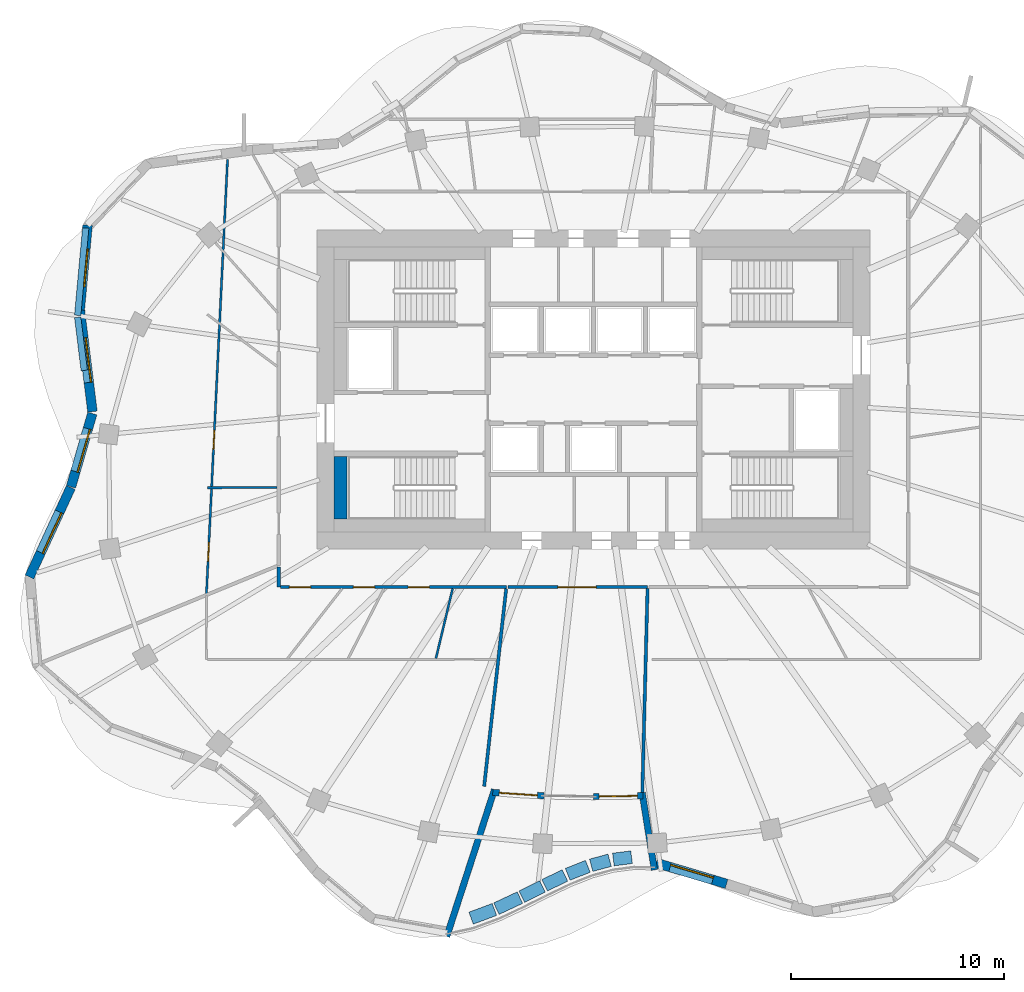
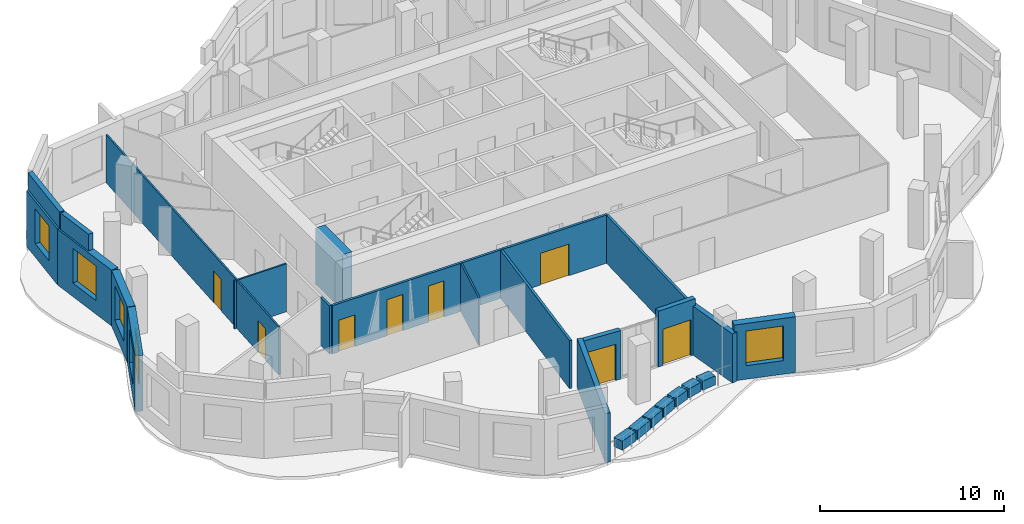
# One storey, part 5 of 12: 27 walls, 8 doors, 5 windows, 13 openings.
"""IFC4 building model written with IfcOpenShell, lengths in metres."""

from ifc_helpers import new_model, si_unit, direction, frame, frame_2d, origin, place, context, subcontext, project, spatial, rectangle, extrude, material, layer, layer_set, type_object, element, fill, save


model = new_model("IFC4")

# Units and contexts
model_context = context("Model", 3, precision=1e-05, world=origin(), true_north=direction((0.0, 1.0)))
body_context = subcontext(model_context, "Body", "Model", "MODEL_VIEW")
ifc_project = project(units=[si_unit("LENGTHUNIT", "METRE"), si_unit("AREAUNIT", "SQUARE_METRE"), si_unit("VOLUMEUNIT", "CUBIC_METRE"), si_unit("PLANEANGLEUNIT", "RADIAN"), si_unit("MASSUNIT", "GRAM", prefix="KILO")], contexts=[model_context])

# Site, building, storey
site_placement = place(None, origin())
site = spatial("IfcSite", under=ifc_project, at=site_placement, CompositionType="ELEMENT")
building_placement = place(site_placement, origin())
building = spatial("IfcBuilding", under=site, at=building_placement, Name="Rubra Terraces Tower", CompositionType="ELEMENT")
storey_placement = place(building_placement, frame((0.0, 0.0, 276.60009765625)))
storey = spatial("IfcBuildingStorey", under=building, at=storey_placement, Name="L68", CompositionType="ELEMENT", Elevation=276.60009765625)

# Wall, opening, window
ifc_material_1 = material(Name="Brick masonry red-brown", Category="masonry")
ifc_layer_1 = layer(ifc_material_1, 0.449951171875)
ifc_layer_set_1 = layer_set([ifc_layer_1], Name="Brick masonry red-brown")
wall_type_1 = type_object("IfcWallType", Name="Brick facade wall 450", PredefinedType="SOLIDWALL", material=ifc_layer_set_1)
wall_1_placement = place(storey_placement, frame((-23.787841796875, 12.21435546875, 0.0), z_axis=(0.0, 0.0, 1.0), x_axis=(-0.091885237351, -0.995769603451, 0.0)))
wall_1 = element("IfcWall", 1, at=wall_1_placement, inside=storey, type_object=wall_type_1, Name="Facade wall L68 bay 18", PredefinedType="SOLIDWALL", context=body_context, shape_type="SweptSolid", body=[
    extrude(rectangle(XDim=3.99609375, YDim=0.449951171875, at=frame_2d((1.998046875, 0.0))), origin(), (0.0, 0.0, 1.0), 3.699951171875),
])
opening_1_placement = place(wall_1_placement, frame((1.09814453125, 0.0, 0.89990234375)))
opening_1 = element("IfcOpeningElement", 2, at=opening_1_placement, cuts=wall_1, Name="Opening W6B", PredefinedType="OPENING", context=body_context, shape_type="SweptSolid", body=[
    extrude(rectangle(XDim=1.800048828125, YDim=2.300048828125, at=frame_2d((0.89990234375, 1.14990234375))), frame((0.0, 0.23486328125, 0.0), z_axis=(0.0, -1.0, 0.0), x_axis=(1.0, 0.0, 0.0)), (0.0, 0.0, 1.0), 0.469970703125),
])
ifc_material_2 = material(Name="Clear glass in aluminium frame", Category="aluminium")
window_type_1 = type_object("IfcWindowType", Name="Fixed deep-set window at wind fin tall storey 1800 x 2300", PartitioningType="SINGLE_PANEL", PredefinedType="WINDOW", material=ifc_material_2)
window_1_placement = place(opening_1_placement, origin())
window_1 = element("IfcWindow", 3, at=window_1_placement, inside=storey, type_object=window_type_1, Name="Window L68 bay 18", OverallHeight=2.300048828125, OverallWidth=1.800048828125, PartitioningType="SINGLE_PANEL", PredefinedType="WINDOW", context=body_context, shape_type="SweptSolid", body=[
    extrude(rectangle(XDim=1.800048828125, YDim=2.300048828125, at=frame_2d((0.89990234375, 1.14990234375))), frame((0.0, 0.135009765625, 0.0), z_axis=(0.0, -1.0, 0.0), x_axis=(1.0, 0.0, 0.0)), (0.0, 0.0, 1.0), 0.06005859375),
])
fill(opening_1, window_1)

wall_2_placement = place(storey_placement, frame((-24.15576171875, 8.283203125, 0.0), z_axis=(0.0, 0.0, 1.0), x_axis=(0.122319995681, -0.992490714645, 0.0)))
wall_2 = element("IfcWall", 4, at=wall_2_placement, inside=storey, type_object=wall_type_1, Name="Facade wall L68 bay 19", PredefinedType="SOLIDWALL", context=body_context, shape_type="SweptSolid", body=[
    extrude(rectangle(XDim=4.8720703125, YDim=0.449951171875, at=frame_2d((2.43603515625, 0.0))), origin(), (0.0, 0.0, 1.0), 3.699951171875),
])
opening_2_placement = place(wall_2_placement, frame((1.385986328125, 0.0, 0.89990234375)))
opening_2 = element("IfcOpeningElement", 5, at=opening_2_placement, cuts=wall_2, Name="Opening W1B", PredefinedType="OPENING", context=body_context, shape_type="SweptSolid", body=[
    extrude(rectangle(XDim=2.10009765625, YDim=2.300048828125, at=frame_2d((1.050048828125, 1.14990234375))), frame((0.0, 0.23486328125, 0.0), z_axis=(0.0, -1.0, 0.0), x_axis=(1.0, 0.0, 0.0)), (0.0, 0.0, 1.0), 0.469970703125),
])
window_type_2 = type_object("IfcWindowType", Name="Fixed deep-set window tall storey 2100 x 2300", PartitioningType="SINGLE_PANEL", PredefinedType="WINDOW", material=ifc_material_2)
window_2_placement = place(opening_2_placement, origin())
window_2 = element("IfcWindow", 6, at=window_2_placement, inside=storey, type_object=window_type_2, Name="Window L68 bay 19", OverallHeight=2.300048828125, OverallWidth=2.10009765625, PartitioningType="SINGLE_PANEL", PredefinedType="WINDOW", context=body_context, shape_type="SweptSolid", body=[
    extrude(rectangle(XDim=2.10009765625, YDim=2.300048828125, at=frame_2d((1.050048828125, 1.14990234375))), frame((0.0, 0.135009765625, 0.0), z_axis=(0.0, -1.0, 0.0), x_axis=(1.0, 0.0, 0.0)), (0.0, 0.0, 1.0), 0.06005859375),
])
fill(opening_2, window_2)

wall_3_placement = place(storey_placement, frame((-23.565185546875, 3.363525390625, 0.0), z_axis=(0.0, 0.0, 1.0), x_axis=(-0.279148198653, -0.960248032119, 0.0)))
wall_3 = element("IfcWall", 7, at=wall_3_placement, inside=storey, type_object=wall_type_1, Name="Facade wall L68 bay 20", PredefinedType="SOLIDWALL", context=body_context, shape_type="SweptSolid", body=[
    extrude(rectangle(XDim=3.58837890625, YDim=0.449951171875, at=frame_2d((1.794189453125, 0.0))), origin(), (0.0, 0.0, 1.0), 3.699951171875),
])
opening_3_placement = place(wall_3_placement, frame((0.744140625, 0.0, 0.89990234375)))
opening_3 = element("IfcOpeningElement", 8, at=opening_3_placement, cuts=wall_3, Name="Opening W1B", PredefinedType="OPENING", context=body_context, shape_type="SweptSolid", body=[
    extrude(rectangle(XDim=2.10009765625, YDim=2.300048828125, at=frame_2d((1.050048828125, 1.14990234375))), frame((0.0, 0.23486328125, 0.0), z_axis=(0.0, -1.0, 0.0), x_axis=(1.0, 0.0, 0.0)), (0.0, 0.0, 1.0), 0.469970703125),
])
window_3_placement = place(opening_3_placement, origin())
window_3 = element("IfcWindow", 9, at=window_3_placement, inside=storey, type_object=window_type_2, Name="Window L68 bay 20", OverallHeight=2.300048828125, OverallWidth=2.10009765625, PartitioningType="SINGLE_PANEL", PredefinedType="WINDOW", context=body_context, shape_type="SweptSolid", body=[
    extrude(rectangle(XDim=2.10009765625, YDim=2.300048828125, at=frame_2d((1.050048828125, 1.14990234375))), frame((0.0, 0.135009765625, 0.0), z_axis=(0.0, -1.0, 0.0), x_axis=(1.0, 0.0, 0.0)), (0.0, 0.0, 1.0), 0.06005859375),
])
fill(opening_3, window_3)

wall_4_placement = place(storey_placement, frame((-24.57861328125, -0.115478515625, 0.0), z_axis=(0.0, 0.0, 1.0), x_axis=(-0.419535648317, -0.907738861012, 0.0)))
wall_4 = element("IfcWall", 10, at=wall_4_placement, inside=storey, type_object=wall_type_1, Name="Facade wall L68 bay 21", PredefinedType="SOLIDWALL", context=body_context, shape_type="SweptSolid", body=[
    extrude(rectangle(XDim=4.63623046875, YDim=0.449951171875, at=frame_2d((2.318115234375, 0.0))), origin(), (0.0, 0.0, 1.0), 3.699951171875),
])
opening_4_placement = place(wall_4_placement, frame((1.26806640625, 0.0, 0.89990234375)))
opening_4 = element("IfcOpeningElement", 11, at=opening_4_placement, cuts=wall_4, Name="Opening W1B", PredefinedType="OPENING", context=body_context, shape_type="SweptSolid", body=[
    extrude(rectangle(XDim=2.10009765625, YDim=2.300048828125, at=frame_2d((1.050048828125, 1.14990234375))), frame((0.0, 0.23486328125, 0.0), z_axis=(0.0, -1.0, 0.0), x_axis=(1.0, 0.0, 0.0)), (0.0, 0.0, 1.0), 0.469970703125),
])
window_4_placement = place(opening_4_placement, origin())
window_4 = element("IfcWindow", 12, at=window_4_placement, inside=storey, type_object=window_type_2, Name="Window L68 bay 21", OverallHeight=2.300048828125, OverallWidth=2.10009765625, PartitioningType="SINGLE_PANEL", PredefinedType="WINDOW", context=body_context, shape_type="SweptSolid", body=[
    extrude(rectangle(XDim=2.10009765625, YDim=2.300048828125, at=frame_2d((1.050048828125, 1.14990234375))), frame((0.0, 0.135009765625, 0.0), z_axis=(0.0, -1.0, 0.0), x_axis=(1.0, 0.0, 0.0)), (0.0, 0.0, 1.0), 0.06005859375),
])
fill(opening_4, window_4)

wall_5_placement = place(storey_placement, frame((2.958740234375, -17.772705078125, 0.0), z_axis=(0.0, 0.0, 1.0), x_axis=(0.958287420174, -0.28580626364, 0.0)))
wall_5 = element("IfcWall", 13, at=wall_5_placement, inside=storey, type_object=wall_type_1, Name="Facade wall L68 bay 32", PredefinedType="SOLIDWALL", context=body_context, shape_type="SweptSolid", body=[
    extrude(rectangle(XDim=3.444091796875, YDim=0.449951171875, at=frame_2d((1.72216796875, 0.0))), origin(), (0.0, 0.0, 1.0), 3.699951171875),
])
opening_5_placement = place(wall_5_placement, frame((0.672119140625, 0.0, 0.89990234375)))
opening_5 = element("IfcOpeningElement", 14, at=opening_5_placement, cuts=wall_5, Name="Opening W1B", PredefinedType="OPENING", context=body_context, shape_type="SweptSolid", body=[
    extrude(rectangle(XDim=2.10009765625, YDim=2.300048828125, at=frame_2d((1.050048828125, 1.14990234375))), frame((0.0, 0.23486328125, 0.0), z_axis=(0.0, -1.0, 0.0), x_axis=(1.0, 0.0, 0.0)), (0.0, 0.0, 1.0), 0.469970703125),
])
window_5_placement = place(opening_5_placement, origin())
window_5 = element("IfcWindow", 15, at=window_5_placement, inside=storey, type_object=window_type_2, Name="Window L68 bay 32", OverallHeight=2.300048828125, OverallWidth=2.10009765625, PartitioningType="SINGLE_PANEL", PredefinedType="WINDOW", context=body_context, shape_type="SweptSolid", body=[
    extrude(rectangle(XDim=2.10009765625, YDim=2.300048828125, at=frame_2d((1.050048828125, 1.14990234375))), frame((0.0, 0.135009765625, 0.0), z_axis=(0.0, -1.0, 0.0), x_axis=(1.0, 0.0, 0.0)), (0.0, 0.0, 1.0), 0.06005859375),
])
fill(opening_5, window_5)

# Walls
ifc_layer_2 = layer(ifc_material_1, 0.300048828125)
ifc_layer_set_2 = layer_set([ifc_layer_2], Name="Brick masonry red-brown")
wall_type_2 = type_object("IfcWallType", Name="Brick parapet 300", PredefinedType="PARAPET", material=ifc_layer_set_2)
wall_6_placement = place(storey_placement, frame((-23.875, 12.08740234375, 3.89990234375), z_axis=(0.0, 0.0, 1.0), x_axis=(-0.091842900475, -0.995773509204, 0.0)))
element("IfcWall", 16, at=wall_6_placement, inside=storey, type_object=wall_type_2, Name="Parapet L68 bay 18", PredefinedType="PARAPET", context=body_context, shape_type="SweptSolid", body=[
    extrude(rectangle(XDim=4.12548828125, YDim=0.300048828125, at=frame_2d((2.062744140625, 0.0))), origin(), (0.0, 0.0, 1.0), 1.10009765625),
])
wall_7_placement = place(storey_placement, frame((-24.25244140625, 7.887451171875, 3.89990234375), z_axis=(0.0, 0.0, 1.0), x_axis=(0.122315432018, -0.992491277085, 0.0)))
element("IfcWall", 17, at=wall_7_placement, inside=storey, type_object=wall_type_2, Name="Parapet L68 bay 19", PredefinedType="PARAPET", context=body_context, shape_type="SweptSolid", body=[
    extrude(rectangle(XDim=2.516845703125, YDim=0.300048828125, at=frame_2d((1.25830078125, 0.0))), origin(), (0.0, 0.0, 1.0), 1.10009765625),
])
ifc_material_3 = material(Name="Plasterboard on steel stud, mineral wool infill", Category="steel")
ifc_layer_3 = layer(ifc_material_3, 0.14990234375)
ifc_layer_set_3 = layer_set([ifc_layer_3], Name="Plasterboard on steel stud, mineral wool infill")
wall_type_3 = type_object("IfcWallType", Name="CORRIDOR PARTITION 150", PredefinedType="PARTITIONING", material=ifc_layer_set_3)
wall_8_placement = place(storey_placement, frame((-14.800048828125, -3.8505859375, 0.0), z_axis=(0.0, 0.0, 1.0), x_axis=(0.0, -1.0, 0.0)))
element("IfcWall", 18, at=wall_8_placement, inside=storey, type_object=wall_type_3, Name="PARTITION", PredefinedType="PARTITIONING", context=body_context, shape_type="SweptSolid", body=[
    extrude(rectangle(XDim=0.949462890625, YDim=0.14990234375, at=frame_2d((0.474609375, 0.0))), origin(), (0.0, 0.0, 1.0), 3.197998046875),
])

# Wall, openings, doors
wall_9_placement = place(storey_placement, frame((-14.72509765625, -4.800048828125, 0.0), z_axis=(0.0, 0.0, 1.0), x_axis=(1.0, 0.0, 0.0)))
wall_9 = element("IfcWall", 19, at=wall_9_placement, inside=storey, type_object=wall_type_3, Name="PARTITION", PredefinedType="PARTITIONING", context=body_context, shape_type="SweptSolid", body=[
    extrude(rectangle(XDim=10.630859375, YDim=0.14990234375, at=frame_2d((5.3154296875, 0.0))), origin(), (0.0, 0.0, 1.0), 3.197998046875),
])
opening_6_placement = place(wall_9_placement, frame((0.429931640625, 0.0, 0.0)))
opening_6 = element("IfcOpeningElement", 20, at=opening_6_placement, cuts=wall_9, Name="Opening 68-108", PredefinedType="OPENING", context=body_context, shape_type="SweptSolid", body=[
    extrude(rectangle(XDim=1.0, YDim=2.10009765625, at=frame_2d((0.5, 1.050048828125))), frame((0.0, 0.0849609375, 0.0), z_axis=(0.0, -1.0, 0.0), x_axis=(1.0, 0.0, 0.0)), (0.0, 0.0, 1.0), 0.169921875),
])
opening_7_placement = place(wall_9_placement, frame((3.43505859375, 0.0, 0.0)))
opening_7 = element("IfcOpeningElement", 21, at=opening_7_placement, cuts=wall_9, Name="Opening 68-110", PredefinedType="OPENING", context=body_context, shape_type="SweptSolid", body=[
    extrude(rectangle(XDim=1.0, YDim=2.39990234375, at=frame_2d((0.5, 1.199951171875))), frame((0.0, 0.0849609375, 0.0), z_axis=(0.0, -1.0, 0.0), x_axis=(1.0, 0.0, 0.0)), (0.0, 0.0, 1.0), 0.169921875),
])
opening_8_placement = place(wall_9_placement, frame((6.014892578125, 0.0, 0.0)))
opening_8 = element("IfcOpeningElement", 22, at=opening_8_placement, cuts=wall_9, Name="Opening 68-111", PredefinedType="OPENING", context=body_context, shape_type="SweptSolid", body=[
    extrude(rectangle(XDim=1.0, YDim=2.39990234375, at=frame_2d((0.5, 1.199951171875))), frame((0.0, 0.0849609375, 0.0), z_axis=(0.0, -1.0, 0.0), x_axis=(1.0, 0.0, 0.0)), (0.0, 0.0, 1.0), 0.169921875),
])
ifc_material_4 = material(Name="Glazed aluminium meeting door leaf", Category="aluminium")
door_type_1 = type_object("IfcDoorType", Name="MEETING ROOM GLAZED DOOR 1000 X 2400", OperationType="SINGLE_SWING_LEFT", PredefinedType="DOOR", material=ifc_material_4)
door_1_placement = place(opening_7_placement, origin())
door_1 = element("IfcDoor", 23, at=door_1_placement, inside=storey, type_object=door_type_1, Name="DOOR 68-110", OperationType="SINGLE_SWING_RIGHT", OverallHeight=2.39990234375, OverallWidth=1.0, PredefinedType="DOOR", context=body_context, shape_type="SweptSolid", body=[
    extrude(rectangle(XDim=1.0, YDim=2.39990234375, at=frame_2d((0.5, 1.199951171875))), frame((0.0, 0.02490234375, 0.0), z_axis=(0.0, -1.0, 0.0), x_axis=(1.0, 0.0, 0.0)), (0.0, 0.0, 1.0), 0.050048828125),
])
fill(opening_7, door_1)
door_2_placement = place(opening_8_placement, origin())
door_2 = element("IfcDoor", 24, at=door_2_placement, inside=storey, type_object=door_type_1, Name="DOOR 68-111", OperationType="SINGLE_SWING_RIGHT", OverallHeight=2.39990234375, OverallWidth=1.0, PredefinedType="DOOR", context=body_context, shape_type="SweptSolid", body=[
    extrude(rectangle(XDim=1.0, YDim=2.39990234375, at=frame_2d((0.5, 1.199951171875))), frame((0.0, 0.02490234375, 0.0), z_axis=(0.0, -1.0, 0.0), x_axis=(1.0, 0.0, 0.0)), (0.0, 0.0, 1.0), 0.050048828125),
])
fill(opening_8, door_2)
ifc_material_5 = material(Name="Painted timber door leaf", Category="wood")
door_type_2 = type_object("IfcDoorType", Name="ROOM DOOR 1000 X 2100", OperationType="SINGLE_SWING_LEFT", PredefinedType="DOOR", material=ifc_material_5)
door_3_placement = place(opening_6_placement, origin())
door_3 = element("IfcDoor", 25, at=door_3_placement, inside=storey, type_object=door_type_2, Name="DOOR 68-108", OperationType="SINGLE_SWING_RIGHT", OverallHeight=2.10009765625, OverallWidth=1.0, PredefinedType="DOOR", context=body_context, shape_type="SweptSolid", body=[
    extrude(rectangle(XDim=1.0, YDim=2.10009765625, at=frame_2d((0.5, 1.050048828125))), frame((0.0, 0.02490234375, 0.0), z_axis=(0.0, -1.0, 0.0), x_axis=(1.0, 0.0, 0.0)), (0.0, 0.0, 1.0), 0.050048828125),
])
fill(opening_6, door_3)

# Wall, opening, door
wall_10_placement = place(storey_placement, frame((-4.019287109375, -4.800048828125, 0.0), z_axis=(0.0, 0.0, 1.0), x_axis=(1.0, 0.0, 0.0)))
wall_10 = element("IfcWall", 26, at=wall_10_placement, inside=storey, type_object=wall_type_3, Name="PARTITION", PredefinedType="PARTITIONING", context=body_context, shape_type="SweptSolid", body=[
    extrude(rectangle(XDim=6.564697265625, YDim=0.14990234375, at=frame_2d((3.2822265625, 0.0))), origin(), (0.0, 0.0, 1.0), 3.197998046875),
])
opening_9_placement = place(wall_10_placement, frame((2.344970703125, 0.0, 0.0)))
opening_9 = element("IfcOpeningElement", 27, at=opening_9_placement, cuts=wall_10, Name="Opening 68-113", PredefinedType="OPENING", context=body_context, shape_type="SweptSolid", body=[
    extrude(rectangle(XDim=1.800048828125, YDim=2.10009765625, at=frame_2d((0.89990234375, 1.050048828125))), frame((0.0, 0.0849609375, 0.0), z_axis=(0.0, -1.0, 0.0), x_axis=(1.0, 0.0, 0.0)), (0.0, 0.0, 1.0), 0.169921875),
])
ifc_material_6 = material(Name="Painted timber door leaf, double", Category="wood")
door_type_3 = type_object("IfcDoorType", Name="ROOM DOUBLE DOOR 1800 X 2100", OperationType="DOUBLE_DOOR_SINGLE_SWING", PredefinedType="DOOR", material=ifc_material_6)
door_4_placement = place(opening_9_placement, origin())
door_4 = element("IfcDoor", 28, at=door_4_placement, inside=storey, type_object=door_type_3, Name="DOOR 68-113", OperationType="DOUBLE_DOOR_SINGLE_SWING", OverallHeight=2.10009765625, OverallWidth=1.800048828125, PredefinedType="DOOR", context=body_context, shape_type="SweptSolid", body=[
    extrude(rectangle(XDim=1.800048828125, YDim=2.10009765625, at=frame_2d((0.89990234375, 1.050048828125))), frame((0.0, 0.02490234375, 0.0), z_axis=(0.0, -1.0, 0.0), x_axis=(1.0, 0.0, 0.0)), (0.0, 0.0, 1.0), 0.050048828125),
])
fill(opening_9, door_4)

# Wall
ifc_material_7 = material(Name="Concrete C40", Category="concrete")
ifc_layer_4 = layer(ifc_material_7, 0.60009765625)
ifc_layer_set_4 = layer_set([ifc_layer_4], Name="Concrete C40")
wall_type_4 = type_object("IfcWallType", Name="Core lining wall 600 concrete", PredefinedType="SOLIDWALL", material=ifc_layer_set_4)
wall_11_placement = place(storey_placement, frame((-11.89990234375, -1.60009765625, 0.0), z_axis=(0.0, 0.0, 1.0), x_axis=(0.0, 1.0, 0.0)))
element("IfcWall", 29, at=wall_11_placement, inside=storey, type_object=wall_type_4, Name="CORE LINING WALL L68", PredefinedType="SOLIDWALL", context=body_context, shape_type="SweptSolid", body=[
    extrude(rectangle(XDim=2.9501953125, YDim=0.60009765625, at=frame_2d((1.47509765625, 0.0))), origin(), (0.0, 0.0, 1.0), 3.699951171875),
])

# Wall, opening, door
ifc_material_8 = material(Name="Brick masonry with ochre lime render", Category="masonry")
ifc_layer_5 = layer(ifc_material_8, 0.300048828125)
ifc_layer_set_5 = layer_set([ifc_layer_5], Name="Brick masonry with ochre lime render")
wall_type_5 = type_object("IfcWallType", Name="Ochre rendered brick wall 300", PredefinedType="SOLIDWALL", material=ifc_layer_set_5)
wall_12_placement = place(storey_placement, frame((-0.00244140625, -14.64990234375, 0.0), z_axis=(0.0, 0.0, 1.0), x_axis=(0.999875724946, 0.015764982193, 0.0)))
wall_12 = element("IfcWall", 30, at=wall_12_placement, inside=storey, type_object=wall_type_5, Name="Terrace wall L68 bay 31", PredefinedType="SOLIDWALL", context=body_context, shape_type="SweptSolid", body=[
    extrude(rectangle(XDim=2.33837890625, YDim=0.300048828125, at=frame_2d((1.169189453125, 0.0))), origin(), (0.0, 0.0, 1.0), 3.699951171875),
])
opening_10_placement = place(wall_12_placement, frame((0.26904296875, 0.0, 0.0)))
opening_10 = element("IfcOpeningElement", 31, at=opening_10_placement, cuts=wall_12, Name="Opening T68.2", PredefinedType="OPENING", context=body_context, shape_type="SweptSolid", body=[
    extrude(rectangle(XDim=1.800048828125, YDim=2.39990234375, at=frame_2d((0.89990234375, 1.199951171875))), frame((0.0, 0.159912109375, 0.0), z_axis=(0.0, -1.0, 0.0), x_axis=(1.0, 0.0, 0.0)), (0.0, 0.0, 1.0), 0.320068359375),
])
ifc_material_9 = material(Name="Glazed aluminium door leaf", Category="aluminium")
door_type_4 = type_object("IfcDoorType", Name="Terrace double door 1800 x 2400", OperationType="DOUBLE_DOOR_DOUBLE_SWING", PredefinedType="DOOR", material=ifc_material_9)
door_5_placement = place(opening_10_placement, origin())
door_5 = element("IfcDoor", 32, at=door_5_placement, inside=storey, type_object=door_type_4, Name="Terrace door L68.2", OperationType="DOUBLE_DOOR_DOUBLE_SWING", OverallHeight=2.39990234375, OverallWidth=1.800048828125, PredefinedType="DOOR", context=body_context, shape_type="SweptSolid", body=[
    extrude(rectangle(XDim=1.800048828125, YDim=2.39990234375, at=frame_2d((0.89990234375, 1.199951171875))), frame((0.0, 0.02490234375, 0.0), z_axis=(0.0, -1.0, 0.0), x_axis=(1.0, 0.0, 0.0)), (0.0, 0.0, 1.0), 0.050048828125),
])
fill(opening_10, door_5)

ifc_layer_6 = layer(ifc_material_8, 0.300048828125)
ifc_layer_set_6 = layer_set([ifc_layer_6], Name="Brick masonry with ochre lime render")
wall_type_6 = type_object("IfcWallType", Name="Ochre rendered brick wall 300, head to beam soffit B", PredefinedType="SOLIDWALL", material=ifc_layer_set_6)
wall_13_placement = place(storey_placement, frame((-4.735107421875, -14.454345703125, 0.0), z_axis=(0.0, 0.0, 1.0), x_axis=(0.997827054151, -0.065887555761, 0.0)))
wall_13 = element("IfcWall", 33, at=wall_13_placement, inside=storey, type_object=wall_type_6, Name="Terrace wall L68 bay 29", PredefinedType="SOLIDWALL", context=body_context, shape_type="SweptSolid", body=[
    extrude(rectangle(XDim=2.412109375, YDim=0.300048828125, at=frame_2d((1.2060546875, 0.0))), origin(), (0.0, 0.0, 1.0), 3.218017578125),
])
opening_11_placement = place(wall_13_placement, frame((0.30615234375, 0.0, 0.0)))
opening_11 = element("IfcOpeningElement", 34, at=opening_11_placement, cuts=wall_13, Name="Opening T68.1", PredefinedType="OPENING", context=body_context, shape_type="SweptSolid", body=[
    extrude(rectangle(XDim=1.800048828125, YDim=2.39990234375, at=frame_2d((0.89990234375, 1.199951171875))), frame((0.0, 0.159912109375, 0.0), z_axis=(0.0, -1.0, 0.0), x_axis=(1.0, 0.0, 0.0)), (0.0, 0.0, 1.0), 0.320068359375),
])
door_6_placement = place(opening_11_placement, origin())
door_6 = element("IfcDoor", 35, at=door_6_placement, inside=storey, type_object=door_type_4, Name="Terrace door L68.1", OperationType="DOUBLE_DOOR_DOUBLE_SWING", OverallHeight=2.39990234375, OverallWidth=1.800048828125, PredefinedType="DOOR", context=body_context, shape_type="SweptSolid", body=[
    extrude(rectangle(XDim=1.800048828125, YDim=2.39990234375, at=frame_2d((0.89990234375, 1.199951171875))), frame((0.0, 0.02490234375, 0.0), z_axis=(0.0, -1.0, 0.0), x_axis=(1.0, 0.0, 0.0)), (0.0, 0.0, 1.0), 0.050048828125),
])
fill(opening_11, door_6)

# Walls
ifc_layer_7 = layer(ifc_material_8, 0.60009765625)
ifc_layer_set_7 = layer_set([ifc_layer_7], Name="Brick masonry with ochre lime render")
wall_type_7 = type_object("IfcWallType", Name="Planter box 600", PredefinedType="SOLIDWALL", material=ifc_layer_set_7)
wall_14_placement = place(storey_placement, frame((-5.75341796875, -20.367431640625, 0.0), z_axis=(0.0, 0.0, 1.0), x_axis=(0.93747191134, 0.348060936402, 0.0)))
element("IfcWall", 36, at=wall_14_placement, inside=storey, type_object=wall_type_7, Name="Planter L68.2", PredefinedType="SOLIDWALL", context=body_context, shape_type="SweptSolid", body=[
    extrude(rectangle(XDim=1.17138671875, YDim=0.60009765625, at=frame_2d((0.585693359375, 0.0))), origin(), (0.0, 0.0, 1.0), 0.599853515625),
])
wall_15_placement = place(storey_placement, frame((-4.56298828125, -19.921142578125, 0.0), z_axis=(0.0, 0.0, 1.0), x_axis=(0.905379693553, 0.424602885649, 0.0)))
element("IfcWall", 37, at=wall_15_placement, inside=storey, type_object=wall_type_7, Name="Planter L68.3", PredefinedType="SOLIDWALL", context=body_context, shape_type="SweptSolid", body=[
    extrude(rectangle(XDim=1.22119140625, YDim=0.60009765625, at=frame_2d((0.610595703125, 0.0))), origin(), (0.0, 0.0, 1.0), 0.599853515625),
])
wall_16_placement = place(storey_placement, frame((-3.367431640625, -19.35888671875, 0.0), z_axis=(0.0, 0.0, 1.0), x_axis=(0.893121540206, 0.449815422612, 0.0)))
element("IfcWall", 38, at=wall_16_placement, inside=storey, type_object=wall_type_7, Name="Planter L68.4", PredefinedType="SOLIDWALL", context=body_context, shape_type="SweptSolid", body=[
    extrude(rectangle(XDim=1.087646484375, YDim=0.60009765625, at=frame_2d((0.5439453125, 0.0))), origin(), (0.0, 0.0, 1.0), 0.599853515625),
])
wall_17_placement = place(storey_placement, frame((-2.295654296875, -18.8203125, 0.0), z_axis=(0.0, 0.0, 1.0), x_axis=(0.901982262613, 0.43177308616, 0.0)))
element("IfcWall", 39, at=wall_17_placement, inside=storey, type_object=wall_type_7, Name="Planter L68.6", PredefinedType="SOLIDWALL", context=body_context, shape_type="SweptSolid", body=[
    extrude(rectangle(XDim=1.060791015625, YDim=0.60009765625, at=frame_2d((0.5302734375, 0.0))), origin(), (0.0, 0.0, 1.0), 0.599853515625),
])
wall_18_placement = place(storey_placement, frame((-1.208984375, -18.305908203125, 0.0), z_axis=(0.0, 0.0, 1.0), x_axis=(0.9301724838, 0.367122800137, 0.0)))
element("IfcWall", 40, at=wall_18_placement, inside=storey, type_object=wall_type_7, Name="Planter L68.8", PredefinedType="SOLIDWALL", context=body_context, shape_type="SweptSolid", body=[
    extrude(rectangle(XDim=1.016845703125, YDim=0.60009765625, at=frame_2d((0.50830078125, 0.0))), origin(), (0.0, 0.0, 1.0), 0.599853515625),
])
wall_19_placement = place(storey_placement, frame((-0.10546875, -17.88037109375, 0.0), z_axis=(0.0, 0.0, 1.0), x_axis=(0.965537021883, 0.260265747598, 0.0)))
element("IfcWall", 41, at=wall_19_placement, inside=storey, type_object=wall_type_7, Name="Planter L68.10", PredefinedType="SOLIDWALL", context=body_context, shape_type="SweptSolid", body=[
    extrude(rectangle(XDim=0.898681640625, YDim=0.60009765625, at=frame_2d((0.44921875, 0.0))), origin(), (0.0, 0.0, 1.0), 0.599853515625),
])
wall_20_placement = place(storey_placement, frame((0.93798828125, -17.611572265625, 0.0), z_axis=(0.0, 0.0, 1.0), x_axis=(0.991754634717, 0.128151256401, 0.0)))
element("IfcWall", 42, at=wall_20_placement, inside=storey, type_object=wall_type_7, Name="Planter L68.12", PredefinedType="SOLIDWALL", context=body_context, shape_type="SweptSolid", body=[
    extrude(rectangle(XDim=0.861083984375, YDim=0.60009765625, at=frame_2d((0.4306640625, 0.0))), origin(), (0.0, 0.0, 1.0), 0.599853515625),
])

# Wall, openings, doors
ifc_material_10 = material(Name="Plasterboard on steel stud", Category="steel")
ifc_layer_8 = layer(ifc_material_10, 0.10009765625)
ifc_layer_set_8 = layer_set([ifc_layer_8], Name="Plasterboard on steel stud")
wall_type_8 = type_object("IfcWallType", Name="ROOM PARTITION 100", PredefinedType="PARTITIONING", material=ifc_layer_set_8)
wall_21_placement = place(storey_placement, frame((-18.199951171875, -5.1494140625, 0.0), z_axis=(0.0, 0.0, 1.0), x_axis=(0.048497558373, 0.998823301106, 0.0)))
wall_21 = element("IfcWall", 43, at=wall_21_placement, inside=storey, type_object=wall_type_8, Name="PARTITION", PredefinedType="PARTITIONING", context=body_context, shape_type="SweptSolid", body=[
    extrude(rectangle(XDim=20.48876953125, YDim=0.10009765625, at=frame_2d((10.244384765625, 0.0))), origin(), (0.0, 0.0, 1.0), 3.183837890625),
])
opening_12_placement = place(wall_21_placement, frame((6.8310546875, 0.0, 0.0)))
opening_12 = element("IfcOpeningElement", 44, at=opening_12_placement, cuts=wall_21, Name="Opening 68-106", PredefinedType="OPENING", context=body_context, shape_type="SweptSolid", body=[
    extrude(rectangle(XDim=0.89990234375, YDim=2.10009765625, at=frame_2d((0.449951171875, 1.050048828125))), frame((0.0, 0.06005859375, 0.0), z_axis=(0.0, -1.0, 0.0), x_axis=(1.0, 0.0, 0.0)), (0.0, 0.0, 1.0), 0.1201171875),
])
opening_13_placement = place(wall_21_placement, frame((1.56005859375, 0.0, 0.0)))
opening_13 = element("IfcOpeningElement", 45, at=opening_13_placement, cuts=wall_21, Name="Opening 68-107", PredefinedType="OPENING", context=body_context, shape_type="SweptSolid", body=[
    extrude(rectangle(XDim=0.89990234375, YDim=2.10009765625, at=frame_2d((0.449951171875, 1.050048828125))), frame((0.0, 0.06005859375, 0.0), z_axis=(0.0, -1.0, 0.0), x_axis=(1.0, 0.0, 0.0)), (0.0, 0.0, 1.0), 0.1201171875),
])
door_type_5 = type_object("IfcDoorType", Name="ROOM DOOR 900 X 2100", OperationType="SINGLE_SWING_LEFT", PredefinedType="DOOR", material=ifc_material_5)
door_7_placement = place(opening_12_placement, origin())
door_7 = element("IfcDoor", 46, at=door_7_placement, inside=storey, type_object=door_type_5, Name="DOOR 68-106", OperationType="SINGLE_SWING_LEFT", OverallHeight=2.10009765625, OverallWidth=0.89990234375, PredefinedType="DOOR", context=body_context, shape_type="SweptSolid", body=[
    extrude(rectangle(XDim=0.89990234375, YDim=2.10009765625, at=frame_2d((0.449951171875, 1.050048828125))), frame((0.0, 0.02490234375, 0.0), z_axis=(0.0, -1.0, 0.0), x_axis=(1.0, 0.0, 0.0)), (0.0, 0.0, 1.0), 0.050048828125),
])
fill(opening_12, door_7)
door_8_placement = place(opening_13_placement, origin())
door_8 = element("IfcDoor", 47, at=door_8_placement, inside=storey, type_object=door_type_5, Name="DOOR 68-107", OperationType="SINGLE_SWING_LEFT", OverallHeight=2.10009765625, OverallWidth=0.89990234375, PredefinedType="DOOR", context=body_context, shape_type="SweptSolid", body=[
    extrude(rectangle(XDim=0.89990234375, YDim=2.10009765625, at=frame_2d((0.449951171875, 1.050048828125))), frame((0.0, 0.02490234375, 0.0), z_axis=(0.0, -1.0, 0.0), x_axis=(1.0, 0.0, 0.0)), (0.0, 0.0, 1.0), 0.050048828125),
])
fill(opening_13, door_8)

# Walls
wall_22_placement = place(storey_placement, frame((-14.875, -0.107421875, 0.0), z_axis=(0.0, 0.0, 1.0), x_axis=(-0.999977492681, -0.00670925707, 0.0)))
element("IfcWall", 48, at=wall_22_placement, inside=storey, type_object=wall_type_8, Name="PARTITION", PredefinedType="PARTITIONING", context=body_context, shape_type="SweptSolid", body=[
    extrude(rectangle(XDim=3.27490234375, YDim=0.10009765625, at=frame_2d((1.637451171875, 0.0))), origin(), (0.0, 0.0, 1.0), 3.183837890625),
])
wall_23_placement = place(storey_placement, frame((-6.622314453125, -4.872802734375, 0.0), z_axis=(0.0, 0.0, 1.0), x_axis=(-0.232759359005, -0.972534359699, 0.0)))
element("IfcWall", 49, at=wall_23_placement, inside=storey, type_object=wall_type_8, Name="PARTITION", PredefinedType="PARTITIONING", context=body_context, shape_type="SweptSolid", body=[
    extrude(rectangle(XDim=3.37109375, YDim=0.10009765625, at=frame_2d((1.685546875, 0.0))), origin(), (0.0, 0.0, 1.0), 3.183837890625),
])
ifc_layer_9 = layer(ifc_material_10, 0.14990234375)
ifc_layer_set_9 = layer_set([ifc_layer_9], Name="Plasterboard on steel stud")
wall_type_9 = type_object("IfcWallType", Name="ROOM PARTITION 150", PredefinedType="PARTITIONING", material=ifc_layer_set_9)
wall_24_placement = place(storey_placement, frame((-5.1396484375, -14.166748046875, 0.0), z_axis=(0.0, 0.0, 1.0), x_axis=(0.110921580609, 0.993829161856, 0.0)))
element("IfcWall", 50, at=wall_24_placement, inside=storey, type_object=wall_type_9, Name="PARTITION", PredefinedType="PARTITIONING", context=body_context, shape_type="SweptSolid", body=[
    extrude(rectangle(XDim=9.349853515625, YDim=0.14990234375, at=frame_2d((4.6748046875, 0.0))), origin(), (0.0, 0.0, 1.0), 3.183837890625),
])
wall_25_placement = place(storey_placement, frame((2.298583984375, -14.45361328125, 0.0), z_axis=(0.0, 0.0, 1.0), x_axis=(0.025556211624, 0.999673386686, 0.0)))
element("IfcWall", 51, at=wall_25_placement, inside=storey, type_object=wall_type_9, Name="PARTITION", PredefinedType="PARTITIONING", context=body_context, shape_type="SweptSolid", body=[
    extrude(rectangle(XDim=9.581787109375, YDim=0.14990234375, at=frame_2d((4.791015625, 0.0))), origin(), (0.0, 0.0, 1.0), 3.183837890625),
])
ifc_material_11 = material(Name="Brick masonry with rose lime render", Category="masonry")
ifc_layer_10 = layer(ifc_material_11, 0.300048828125)
ifc_layer_set_10 = layer_set([ifc_layer_10], Name="Brick masonry with rose lime render")
wall_type_10 = type_object("IfcWallType", Name="Rose rendered brick wall 300", PredefinedType="SOLIDWALL", material=ifc_layer_set_10)
wall_26_placement = place(storey_placement, frame((-6.89892578125, -21.23291015625, 0.0), z_axis=(0.0, 0.0, 1.0), x_axis=(0.309015453865, 0.951057016836, 0.0)))
element("IfcWall", 52, at=wall_26_placement, inside=storey, type_object=wall_type_10, Name="Terrace side wall L68.1", PredefinedType="SOLIDWALL", context=body_context, shape_type="SweptSolid", body=[
    extrude(rectangle(XDim=7.27001953125, YDim=0.300048828125, at=frame_2d((3.635009765625, 0.0))), origin(), (0.0, 0.0, 1.0), 3.25390625),
])
wall_27_placement = place(storey_placement, frame((2.866943359375, -18.10009765625, 0.0), z_axis=(0.0, 0.0, 1.0), x_axis=(-0.156558948126, 0.98766861637, 0.0)))
element("IfcWall", 53, at=wall_27_placement, inside=storey, type_object=wall_type_10, Name="Terrace side wall L68.2", PredefinedType="SOLIDWALL", context=body_context, shape_type="SweptSolid", body=[
    extrude(rectangle(XDim=3.6787109375, YDim=0.300048828125, at=frame_2d((1.83935546875, 0.0))), origin(), (0.0, 0.0, 1.0), 3.25390625),
])

save(model, "model.ifc")
